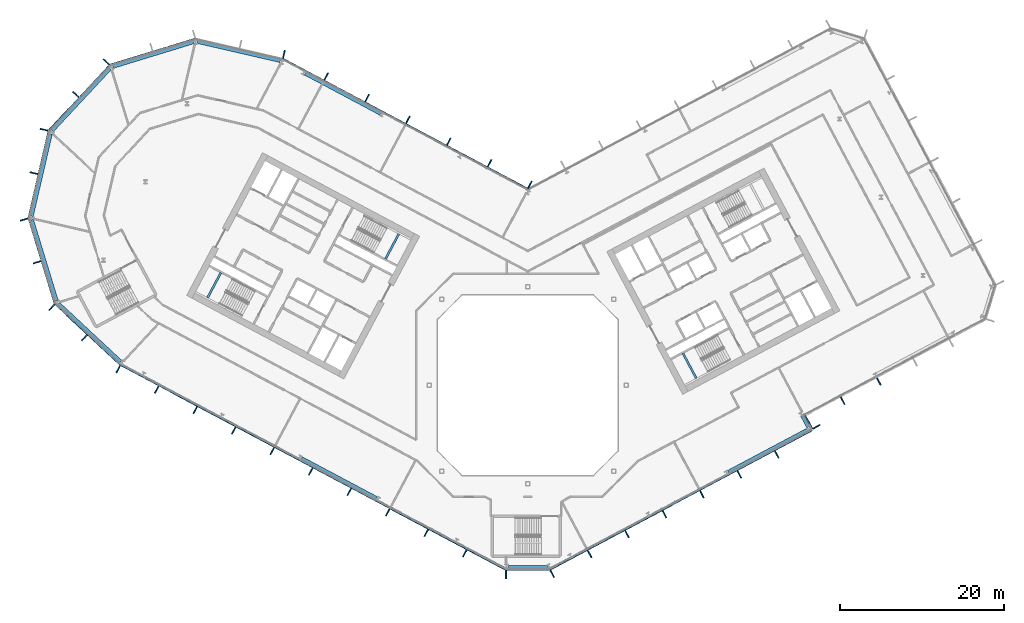
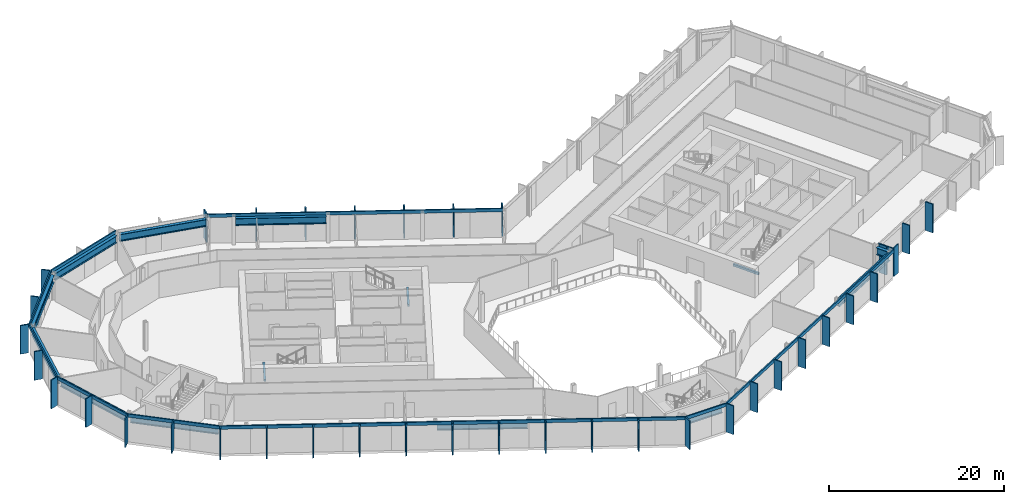
# One storey, part 9 of 28: 47 members, 14 beams, 12 elements without a shape of their own.
"""IFC4 building model written with IfcOpenShell, lengths in metres."""

import ifcopenshell
import ifcopenshell.guid

model = None  # the IFC model being written
_history = None  # IfcOwnerHistory: only IFC2X3 demands one
_inside = {}  # id of a spatial element -> (the spatial element, [elements in it])
_under = {}  # id of a project, library or spatial element -> (it, [spatial elements below it])
_declared = {}  # id of a project -> (the project, [libraries it declares])
_typed = {}  # id of a type object -> (the type object, [elements of that type])
_made_of = {}  # id of a material, layer set ... -> (it, [elements and type objects made of it])


def new_model(schema):
    """Start an empty IFC model of exactly this schema.

    Asked for "IFC4X3", IfcOpenShell would pick the latest addendum, in which some entities
    have other attributes; the version numbers below select the first issue.
    IFC2X3 requires an IfcOwnerHistory on every rooted entity: one is made here for all.
    """
    global model, _history
    if schema == "IFC4X3":
        model = ifcopenshell.file(schema_version=(4, 3, 0, 0))
    else:
        model = ifcopenshell.file(schema=schema)
    _inside.clear()
    _under.clear()
    _declared.clear()
    _typed.clear()
    _made_of.clear()
    _history = None
    if model.schema == "IFC2X3":
        org = make("IfcOrganization", Name="unknown")
        user = make(
            "IfcPersonAndOrganization",
            ThePerson=make("IfcPerson", FamilyName="unknown"),
            TheOrganization=org,
        )
        app = make(
            "IfcApplication",
            ApplicationDeveloper=org,
            Version="unknown",
            ApplicationFullName="unknown",
            ApplicationIdentifier="unknown",
        )
        _history = make(
            "IfcOwnerHistory",
            OwningUser=user,
            OwningApplication=app,
            ChangeAction="ADDED",
            CreationDate=0,
        )
    return model


def make(cls, **values):
    """One entity of the class cls with the attributes given. An attribute that is None is left unset."""
    return model.create_entity(
        cls, **{name: value for name, value in values.items() if value is not None}
    )


def rooted(cls, **values):
    """An entity with a GlobalId (a new one), such as an element, a storey or a relation."""
    return make(cls, GlobalId=ifcopenshell.guid.new(), OwnerHistory=_history, **values)


def si_unit(unit_type, name, prefix=None):
    """IfcSIUnit, for example si_unit("LENGTHUNIT", "METRE", prefix="MILLI")."""
    return make("IfcSIUnit", UnitType=unit_type, Prefix=prefix, Name=name)


def assignment(units):
    """IfcUnitAssignment: the units of a project."""
    return None if units is None else make("IfcUnitAssignment", Units=units)


def point(xyz):
    """IfcCartesianPoint."""
    return None if xyz is None else make("IfcCartesianPoint", Coordinates=xyz)


def direction(xyz):
    """IfcDirection."""
    return None if xyz is None else make("IfcDirection", DirectionRatios=xyz)


def frame(location, z_axis=None, x_axis=None):
    """IfcAxis2Placement3D, a coordinate frame: its origin and axes. An axis left out is left unset."""
    return make(
        "IfcAxis2Placement3D",
        Location=point(location),
        Axis=direction(z_axis),
        RefDirection=direction(x_axis),
    )


def frame_2d(location, x_axis=None):
    """IfcAxis2Placement2D, a coordinate frame in the plane: its origin and x axis."""
    return make(
        "IfcAxis2Placement2D", Location=point(location), RefDirection=direction(x_axis)
    )


def origin():
    """The frame at (0, 0, 0) with its axes left unset."""
    return frame((0.0, 0.0, 0.0))


def origin_2d():
    """The frame at (0, 0) in the plane with its x axis left unset."""
    return frame_2d((0.0, 0.0))


def place(relative_to, where):
    """IfcLocalPlacement: puts the frame where relative to a parent placement (None: the world)."""
    return make(
        "IfcLocalPlacement", PlacementRelTo=relative_to, RelativePlacement=where
    )


def context(
    kind, dimensions, precision=None, world=None, true_north=None, identifier=None
):
    """IfcGeometricRepresentationContext, for example the 3D "Model" context."""
    return make(
        "IfcGeometricRepresentationContext",
        ContextIdentifier=identifier,
        ContextType=kind,
        CoordinateSpaceDimension=dimensions,
        Precision=precision,
        WorldCoordinateSystem=world,
        TrueNorth=true_north,
    )


def subcontext(parent, identifier, kind, view, scale=None):
    """IfcGeometricRepresentationSubContext, for example "Body" below "Model"."""
    return make(
        "IfcGeometricRepresentationSubContext",
        ContextIdentifier=identifier,
        ContextType=kind,
        ParentContext=parent,
        TargetScale=scale,
        TargetView=view,
    )


def project(units=None, contexts=None):
    """IfcProject with its units and contexts."""
    return rooted(
        "IfcProject",
        Name="project",
        RepresentationContexts=contexts,
        UnitsInContext=assignment(units),
    )


def spatial(cls, under=None, at=None, **own):
    """A site, building, storey or space (cls), placed at a placement, below another one or the project."""
    s = rooted(cls, ObjectPlacement=at, **own)
    if under is not None:
        _under.setdefault(under.id(), (under, []))[1].append(s)
    return s


def profile(cls, at=None, kind="AREA", **sizes):
    """A parametric profile (cls). Its sizes go by their IFC names, for example OverallWidth=200.0."""
    return make(cls, ProfileType=kind, Position=at, **sizes)


def rectangle(**sizes):
    """IfcRectangleProfileDef."""
    return profile("IfcRectangleProfileDef", **sizes)


def i_section(**sizes):
    """IfcIShapeProfileDef."""
    return profile("IfcIShapeProfileDef", **sizes)


def extrude(swept, where, along, depth):
    """IfcExtrudedAreaSolid: the profile swept, set in the frame where, extruded along a direction by depth."""
    return make(
        "IfcExtrudedAreaSolid",
        SweptArea=swept,
        Position=where,
        ExtrudedDirection=direction(along),
        Depth=depth,
    )


def shape(context_of_items, identifier, shape_type, items):
    """IfcShapeRepresentation: the items that make up one representation, for example the "Body"."""
    return make(
        "IfcShapeRepresentation",
        ContextOfItems=context_of_items,
        RepresentationIdentifier=identifier,
        RepresentationType=shape_type,
        Items=items,
    )


def material(Name=None, Category=None):
    """IfcMaterial."""
    return make("IfcMaterial", Name=Name, Category=Category)


def layer(
    of_material, thickness, ventilated=None, Name=None, Category=None, Priority=None
):
    """IfcMaterialLayer: one layer of a wall or slab, of a material (None: an air gap)."""
    return make(
        "IfcMaterialLayer",
        Material=of_material,
        LayerThickness=thickness,
        IsVentilated=ventilated,
        Name=Name,
        Category=Category,
        Priority=Priority,
    )


def layer_set(layers, Name=None):
    """IfcMaterialLayerSet."""
    return make("IfcMaterialLayerSet", MaterialLayers=layers, LayerSetName=Name)


def material_profile(
    of_material, cross_section, Name=None, Category=None, Priority=None
):
    """IfcMaterialProfile: a cross section and its material."""
    return make(
        "IfcMaterialProfile",
        Name=Name,
        Material=of_material,
        Profile=cross_section,
        Priority=Priority,
        Category=Category,
    )


def profile_set(profiles, Name=None, composite=None):
    """IfcMaterialProfileSet."""
    return make(
        "IfcMaterialProfileSet",
        Name=Name,
        MaterialProfiles=profiles,
        CompositeProfile=composite,
    )


def made_of(thing, what):
    """Note that an element or type object is made of a material, layer set ...; save() writes the relation."""
    if what is not None:
        _made_of.setdefault(what.id(), (what, []))[1].append(thing)
    return thing


def type_object(cls, material=None, **own):
    """A type object (cls), such as IfcWallType, which elements share."""
    return made_of(rooted(cls, **own), material)


def element(
    cls,
    number,
    at=None,
    inside=None,
    cuts=None,
    type_object=None,
    material=None,
    context=None,
    identifier="Body",
    shape_type=None,
    held_by="IfcProductDefinitionShape",
    body=None,
    shapes=None,
    **own,
):
    """One element of the class cls, such as IfcWall. Its Tag is "e" and its number.

    at: its placement. inside: the storey or other place that contains it. cuts: it is an
    opening in that element (IfcRelVoidsElement). A single representation is given by context,
    identifier, shape_type and body (its items); several are given by shapes. held_by: the class
    of the entity that holds the representations. save() writes the other relations.
    """
    e = rooted(cls, Tag="e%d" % number, ObjectPlacement=at, **own)
    if body is not None:
        shapes = [shape(context, identifier, shape_type, body)]
    if shapes is not None:
        e.Representation = make(held_by, Representations=shapes)
    if inside is not None:
        _inside.setdefault(inside.id(), (inside, []))[1].append(e)
    if cuts is not None:
        rooted(
            "IfcRelVoidsElement", RelatingBuildingElement=cuts, RelatedOpeningElement=e
        )
    if type_object is not None:
        _typed.setdefault(type_object.id(), (type_object, []))[1].append(e)
    return made_of(e, material)


def aggregate(whole, parts):
    """IfcRelAggregates: a whole, such as a stair, and the parts it consists of."""
    return rooted("IfcRelAggregates", RelatingObject=whole, RelatedObjects=parts)


def save(model, path):
    """Write the relations noted so far, then the file.

    IfcRelAggregates (storeys below a building ...), IfcRelContainedInSpatialStructure (elements
    in a storey), IfcRelDefinesByType, IfcRelAssociatesMaterial and IfcRelDeclares: one each for
    every whole, place, type object, material and project.
    """
    for whole, parts in _under.values():
        aggregate(whole, parts)
    for where, things in _inside.values():
        rooted(
            "IfcRelContainedInSpatialStructure",
            RelatedElements=things,
            RelatingStructure=where,
        )
    for kind, things in _typed.values():
        rooted("IfcRelDefinesByType", RelatedObjects=things, RelatingType=kind)
    for what, things in _made_of.values():
        rooted("IfcRelAssociatesMaterial", RelatedObjects=things, RelatingMaterial=what)
    for by, libraries in _declared.values():
        rooted("IfcRelDeclares", RelatingContext=by, RelatedDefinitions=libraries)
    model.write(path)


model = new_model("IFC4")

# Units and contexts
model_context = context("Model", 3, precision=1e-05, world=origin(), true_north=direction((0.0, 1.0)))
body_context = subcontext(model_context, "Body", "Model", "MODEL_VIEW")
ifc_project = project(units=[si_unit("LENGTHUNIT", "METRE"), si_unit("AREAUNIT", "SQUARE_METRE"), si_unit("VOLUMEUNIT", "CUBIC_METRE"), si_unit("PLANEANGLEUNIT", "RADIAN"), si_unit("MASSUNIT", "GRAM", prefix="KILO")], contexts=[model_context])

# Site, building, storey
site_placement = place(None, origin())
site = spatial("IfcSite", under=ifc_project, at=site_placement, CompositionType="ELEMENT")
building_placement = place(site_placement, origin())
building = spatial("IfcBuilding", under=site, at=building_placement, Name="Cormorant Relay Tower", CompositionType="ELEMENT")
storey_placement = place(building_placement, frame((0.0, 0.0, 158.199951171875)))
storey = spatial("IfcBuildingStorey", under=building, at=storey_placement, Name="L33", CompositionType="ELEMENT", Elevation=158.199951171875)

# Curtain wall, member
ifc_material_1 = material(Name="Aluminium 6063-T6 anodised bronze", Category="aluminium")
ifc_layer = layer(ifc_material_1, 0.199951171875)
ifc_layer_set = layer_set([ifc_layer], Name="CW1 unitised bronze curtain wall with vertical fins")
curtain_wall_type = type_object("IfcCurtainWallType", Name="CW1 unitised bronze curtain wall with vertical fins", PredefinedType="NOTDEFINED", material=ifc_layer_set)
curtain_wall_1_placement = place(storey_placement, origin())
curtain_wall_1 = element("IfcCurtainWall", 1, at=curtain_wall_1_placement, inside=storey, type_object=curtain_wall_type, Name="CW1 curtain wall 1", PredefinedType="NOTDEFINED")
ifc_material_2 = material(Name="Aluminium 6063-T6 anodised bronze", Category="aluminium")
ifc_material_profile_1 = material_profile(ifc_material_2, rectangle(XDim=0.14990234375, YDim=1.0, at=origin_2d()), Name="AL 150x1000")
ifc_profile_set_1 = profile_set([ifc_material_profile_1], Name="Aluminium 6063-T6 anodised bronze")
member_type_1 = type_object("IfcMemberType", Name="CW1 bronze fin mullion 150 x 1000", PredefinedType="MULLION", material=ifc_profile_set_1)
member_1_placement = place(storey_placement, frame((-2.648681640625, -23.07568359375, 0.0), z_axis=(0.0, 0.0, 1.0), x_axis=(1.0, 0.0, 0.0)))
member_1 = element("IfcMember", 2, at=member_1_placement, type_object=member_type_1, Name="CW1 fin 1.1", PredefinedType="MULLION", context=body_context, shape_type="SweptSolid", body=[
    extrude(rectangle(XDim=0.14990234375, YDim=1.0, at=origin_2d()), origin(), (0.0, 0.0, 1.0), 4.0),
])

# Curtain wall, members
curtain_wall_2_placement = place(storey_placement, origin())
curtain_wall_2 = element("IfcCurtainWall", 3, at=curtain_wall_2_placement, inside=storey, type_object=curtain_wall_type, Name="CW1 curtain wall 2", PredefinedType="NOTDEFINED")
member_2_placement = place(storey_placement, frame((2.9775390625, -22.99365234375, 0.0), z_axis=(0.0, 0.0, 1.0), x_axis=(0.882947592859, 0.469471562786, 0.0)))
member_2 = element("IfcMember", 4, at=member_2_placement, type_object=member_type_1, Name="CW1 fin 2.1", PredefinedType="MULLION", context=body_context, shape_type="SweptSolid", body=[
    extrude(rectangle(XDim=0.14990234375, YDim=1.0, at=origin_2d()), origin(), (0.0, 0.0, 1.0), 4.0),
])
member_3_placement = place(storey_placement, frame((7.539306640625, -20.568115234375, 0.0), z_axis=(0.0, 0.0, 1.0), x_axis=(0.882947592859, 0.469471562786, 0.0)))
member_3 = element("IfcMember", 5, at=member_3_placement, type_object=member_type_1, Name="CW1 fin 2.2", PredefinedType="MULLION", context=body_context, shape_type="SweptSolid", body=[
    extrude(rectangle(XDim=0.14990234375, YDim=1.0, at=origin_2d()), origin(), (0.0, 0.0, 1.0), 4.0),
])
member_4_placement = place(storey_placement, frame((12.10107421875, -18.142578125, 0.0), z_axis=(0.0, 0.0, 1.0), x_axis=(0.882947592859, 0.469471562786, 0.0)))
member_4 = element("IfcMember", 6, at=member_4_placement, type_object=member_type_1, Name="CW1 fin 2.3", PredefinedType="MULLION", context=body_context, shape_type="SweptSolid", body=[
    extrude(rectangle(XDim=0.14990234375, YDim=1.0, at=origin_2d()), origin(), (0.0, 0.0, 1.0), 4.0),
])
member_5_placement = place(storey_placement, frame((16.662841796875, -15.717041015625, 0.0), z_axis=(0.0, 0.0, 1.0), x_axis=(0.882947592859, 0.469471562786, 0.0)))
member_5 = element("IfcMember", 7, at=member_5_placement, type_object=member_type_1, Name="CW1 fin 2.4", PredefinedType="MULLION", context=body_context, shape_type="SweptSolid", body=[
    extrude(rectangle(XDim=0.14990234375, YDim=1.0, at=origin_2d()), origin(), (0.0, 0.0, 1.0), 4.0),
])
member_6_placement = place(storey_placement, frame((21.224609375, -13.29150390625, 0.0), z_axis=(0.0, 0.0, 1.0), x_axis=(0.882947592859, 0.469471562786, 0.0)))
member_6 = element("IfcMember", 8, at=member_6_placement, type_object=member_type_1, Name="CW1 fin 2.5", PredefinedType="MULLION", context=body_context, shape_type="SweptSolid", body=[
    extrude(rectangle(XDim=0.14990234375, YDim=1.0, at=origin_2d()), origin(), (0.0, 0.0, 1.0), 4.0),
])
member_7_placement = place(storey_placement, frame((25.78662109375, -10.865966796875, 0.0), z_axis=(0.0, 0.0, 1.0), x_axis=(0.882947592859, 0.469471562786, 0.0)))
member_7 = element("IfcMember", 9, at=member_7_placement, type_object=member_type_1, Name="CW1 fin 2.6", PredefinedType="MULLION", context=body_context, shape_type="SweptSolid", body=[
    extrude(rectangle(XDim=0.14990234375, YDim=1.0, at=origin_2d()), origin(), (0.0, 0.0, 1.0), 4.0),
])
member_8_placement = place(storey_placement, frame((30.348388671875, -8.440185546875, 0.0), z_axis=(0.0, 0.0, 1.0), x_axis=(0.882947592859, 0.469471562786, 0.0)))
member_8 = element("IfcMember", 10, at=member_8_placement, type_object=member_type_1, Name="CW1 fin 2.7", PredefinedType="MULLION", context=body_context, shape_type="SweptSolid", body=[
    extrude(rectangle(XDim=0.14990234375, YDim=1.0, at=origin_2d()), origin(), (0.0, 0.0, 1.0), 4.0),
])

# Curtain wall, member
curtain_wall_3_placement = place(storey_placement, origin())
curtain_wall_3 = element("IfcCurtainWall", 11, at=curtain_wall_3_placement, inside=storey, type_object=curtain_wall_type, Name="CW1 curtain wall 3", PredefinedType="NOTDEFINED")
member_9_placement = place(storey_placement, frame((35.199462890625, -5.068115234375, 0.0), z_axis=(0.0, 0.0, 1.0), x_axis=(-0.469471562786, 0.882947592859, 0.0)))
member_9 = element("IfcMember", 12, at=member_9_placement, type_object=member_type_1, Name="CW1 fin 3.1", PredefinedType="MULLION", context=body_context, shape_type="SweptSolid", body=[
    extrude(rectangle(XDim=0.14990234375, YDim=1.0, at=origin_2d()), origin(), (0.0, 0.0, 1.0), 4.0),
])

# Curtain wall, members
curtain_wall_4_placement = place(storey_placement, origin())
curtain_wall_4 = element("IfcCurtainWall", 13, at=curtain_wall_4_placement, inside=storey, type_object=curtain_wall_type, Name="CW1 curtain wall 4", PredefinedType="NOTDEFINED")
member_10_placement = place(storey_placement, frame((34.037353515625, -4.213623046875, 0.0), z_axis=(0.0, 0.0, 1.0), x_axis=(0.882947592859, 0.469471562786, 0.0)))
member_10 = element("IfcMember", 14, at=member_10_placement, type_object=member_type_1, Name="CW1 fin 4.1", PredefinedType="MULLION", context=body_context, shape_type="SweptSolid", body=[
    extrude(rectangle(XDim=0.14990234375, YDim=1.0, at=origin_2d()), origin(), (0.0, 0.0, 1.0), 4.0),
])
member_11_placement = place(storey_placement, frame((38.385986328125, -1.901611328125, 0.0), z_axis=(0.0, 0.0, 1.0), x_axis=(0.882947592859, 0.469471562786, 0.0)))
member_11 = element("IfcMember", 15, at=member_11_placement, type_object=member_type_1, Name="CW1 fin 4.2", PredefinedType="MULLION", context=body_context, shape_type="SweptSolid", body=[
    extrude(rectangle(XDim=0.14990234375, YDim=1.0, at=origin_2d()), origin(), (0.0, 0.0, 1.0), 4.0),
])
member_12_placement = place(storey_placement, frame((42.800537109375, 0.44580078125, 0.0), z_axis=(0.0, 0.0, 1.0), x_axis=(0.882947592859, 0.469471562786, 0.0)))
member_12 = element("IfcMember", 16, at=member_12_placement, type_object=member_type_1, Name="CW1 fin 4.3", PredefinedType="MULLION", context=body_context, shape_type="SweptSolid", body=[
    extrude(rectangle(XDim=0.14990234375, YDim=1.0, at=origin_2d()), origin(), (0.0, 0.0, 1.0), 4.0),
])
aggregate(curtain_wall_4, [member_10, member_11, member_12])

curtain_wall_5_placement = place(storey_placement, origin())
curtain_wall_5 = element("IfcCurtainWall", 17, at=curtain_wall_5_placement, inside=storey, type_object=curtain_wall_type, Name="CW1 curtain wall 9", PredefinedType="NOTDEFINED")
member_13_placement = place(storey_placement, frame((0.262451171875, 24.437255859375, 0.0), z_axis=(0.0, 0.0, 1.0), x_axis=(-0.882947592859, 0.469471562786, 0.0)))
member_13 = element("IfcMember", 18, at=member_13_placement, type_object=member_type_1, Name="CW1 fin 9.1", PredefinedType="MULLION", context=body_context, shape_type="SweptSolid", body=[
    extrude(rectangle(XDim=0.14990234375, YDim=1.0, at=origin_2d()), origin(), (0.0, 0.0, 1.0), 4.0),
])
member_14_placement = place(storey_placement, frame((-4.650390625, 27.04931640625, 0.0), z_axis=(0.0, 0.0, 1.0), x_axis=(-0.882947592859, 0.469471562786, 0.0)))
member_14 = element("IfcMember", 19, at=member_14_placement, type_object=member_type_1, Name="CW1 fin 9.2", PredefinedType="MULLION", context=body_context, shape_type="SweptSolid", body=[
    extrude(rectangle(XDim=0.14990234375, YDim=1.0, at=origin_2d()), origin(), (0.0, 0.0, 1.0), 4.0),
])
member_15_placement = place(storey_placement, frame((-9.62939453125, 29.69677734375, 0.0), z_axis=(0.0, 0.0, 1.0), x_axis=(-0.882947592859, 0.469471562786, 0.0)))
member_15 = element("IfcMember", 20, at=member_15_placement, type_object=member_type_1, Name="CW1 fin 9.3", PredefinedType="MULLION", context=body_context, shape_type="SweptSolid", body=[
    extrude(rectangle(XDim=0.14990234375, YDim=1.0, at=origin_2d()), origin(), (0.0, 0.0, 1.0), 4.0),
])
member_16_placement = place(storey_placement, frame((-14.608154296875, 32.343994140625, 0.0), z_axis=(0.0, 0.0, 1.0), x_axis=(-0.882947592859, 0.469471562786, 0.0)))
member_16 = element("IfcMember", 21, at=member_16_placement, type_object=member_type_1, Name="CW1 fin 9.4", PredefinedType="MULLION", context=body_context, shape_type="SweptSolid", body=[
    extrude(rectangle(XDim=0.14990234375, YDim=1.0, at=origin_2d()), origin(), (0.0, 0.0, 1.0), 4.0),
])
member_17_placement = place(storey_placement, frame((-19.587158203125, 34.991455078125, 0.0), z_axis=(0.0, 0.0, 1.0), x_axis=(-0.882947592859, 0.469471562786, 0.0)))
member_17 = element("IfcMember", 22, at=member_17_placement, type_object=member_type_1, Name="CW1 fin 9.5", PredefinedType="MULLION", context=body_context, shape_type="SweptSolid", body=[
    extrude(rectangle(XDim=0.14990234375, YDim=1.0, at=origin_2d()), origin(), (0.0, 0.0, 1.0), 4.0),
])
member_18_placement = place(storey_placement, frame((-24.566162109375, 37.638916015625, 0.0), z_axis=(0.0, 0.0, 1.0), x_axis=(-0.882947592859, 0.469471562786, 0.0)))
member_18 = element("IfcMember", 23, at=member_18_placement, type_object=member_type_1, Name="CW1 fin 9.6", PredefinedType="MULLION", context=body_context, shape_type="SweptSolid", body=[
    extrude(rectangle(XDim=0.14990234375, YDim=1.0, at=origin_2d()), origin(), (0.0, 0.0, 1.0), 4.0),
])

# Curtain wall, member
curtain_wall_6_placement = place(storey_placement, origin())
curtain_wall_6 = element("IfcCurtainWall", 24, at=curtain_wall_6_placement, inside=storey, type_object=curtain_wall_type, Name="CW1 curtain wall 10", PredefinedType="NOTDEFINED")
member_19_placement = place(storey_placement, frame((-29.71630859375, 40.35009765625, 0.0), z_axis=(0.0, 0.0, 1.0), x_axis=(-0.974370064785, 0.224951054344, 0.0)))
member_19 = element("IfcMember", 25, at=member_19_placement, type_object=member_type_1, Name="CW1 fin 10.1", PredefinedType="MULLION", context=body_context, shape_type="SweptSolid", body=[
    extrude(rectangle(XDim=0.14990234375, YDim=1.0, at=origin_2d()), origin(), (0.0, 0.0, 1.0), 4.0),
])
aggregate(curtain_wall_6, [member_19])

# Curtain wall, members
curtain_wall_7_placement = place(storey_placement, origin())
curtain_wall_7 = element("IfcCurtainWall", 26, at=curtain_wall_7_placement, inside=storey, type_object=curtain_wall_type, Name="CW1 curtain wall 12", PredefinedType="NOTDEFINED")
member_20_placement = place(storey_placement, frame((-51.372802734375, 39.41259765625, 0.0), z_axis=(0.0, 0.0, 1.0), x_axis=(-0.681998360062, -0.731353701619, 0.0)))
member_20 = element("IfcMember", 27, at=member_20_placement, type_object=member_type_1, Name="CW1 fin 12.1", PredefinedType="MULLION", context=body_context, shape_type="SweptSolid", body=[
    extrude(rectangle(XDim=0.14990234375, YDim=1.0, at=origin_2d()), origin(), (0.0, 0.0, 1.0), 4.0),
])
member_21_placement = place(storey_placement, frame((-55.07958984375, 35.4375, 0.0), z_axis=(0.0, 0.0, 1.0), x_axis=(-0.681998360062, -0.731353701619, 0.0)))
member_21 = element("IfcMember", 28, at=member_21_placement, type_object=member_type_1, Name="CW1 fin 12.2", PredefinedType="MULLION", context=body_context, shape_type="SweptSolid", body=[
    extrude(rectangle(XDim=0.14990234375, YDim=1.0, at=origin_2d()), origin(), (0.0, 0.0, 1.0), 4.0),
])

curtain_wall_8_placement = place(storey_placement, origin())
curtain_wall_8 = element("IfcCurtainWall", 29, at=curtain_wall_8_placement, inside=storey, type_object=curtain_wall_type, Name="CW1 curtain wall 13", PredefinedType="NOTDEFINED")
member_22_placement = place(storey_placement, frame((-58.95654296875, 31.142578125, 0.0), z_axis=(0.0, 0.0, 1.0), x_axis=(-0.224951054344, -0.974370064785, 0.0)))
member_22 = element("IfcMember", 30, at=member_22_placement, type_object=member_type_1, Name="CW1 fin 13.1", PredefinedType="MULLION", context=body_context, shape_type="SweptSolid", body=[
    extrude(rectangle(XDim=0.14990234375, YDim=1.0, at=origin_2d()), origin(), (0.0, 0.0, 1.0), 4.0),
])
member_23_placement = place(storey_placement, frame((-60.17919921875, 25.8466796875, 0.0), z_axis=(0.0, 0.0, 1.0), x_axis=(-0.224951054344, -0.974370064785, 0.0)))
member_23 = element("IfcMember", 31, at=member_23_placement, type_object=member_type_1, Name="CW1 fin 13.2", PredefinedType="MULLION", context=body_context, shape_type="SweptSolid", body=[
    extrude(rectangle(XDim=0.14990234375, YDim=1.0, at=origin_2d()), origin(), (0.0, 0.0, 1.0), 4.0),
])

curtain_wall_9_placement = place(storey_placement, origin())
curtain_wall_9 = element("IfcCurtainWall", 32, at=curtain_wall_9_placement, inside=storey, type_object=curtain_wall_type, Name="CW1 curtain wall 14", PredefinedType="NOTDEFINED")
member_24_placement = place(storey_placement, frame((-61.389404296875, 20.188720703125, 0.0), z_axis=(0.0, 0.0, 1.0), x_axis=(0.292371704723, -0.956304755963, 0.0)))
member_24 = element("IfcMember", 33, at=member_24_placement, type_object=member_type_1, Name="CW1 fin 14.1", PredefinedType="MULLION", context=body_context, shape_type="SweptSolid", body=[
    extrude(rectangle(XDim=0.14990234375, YDim=1.0, at=origin_2d()), origin(), (0.0, 0.0, 1.0), 4.0),
])
member_25_placement = place(storey_placement, frame((-59.80029296875, 14.990966796875, 0.0), z_axis=(0.0, 0.0, 1.0), x_axis=(0.292371704723, -0.956304755963, 0.0)))
member_25 = element("IfcMember", 34, at=member_25_placement, type_object=member_type_1, Name="CW1 fin 14.2", PredefinedType="MULLION", context=body_context, shape_type="SweptSolid", body=[
    extrude(rectangle(XDim=0.14990234375, YDim=1.0, at=origin_2d()), origin(), (0.0, 0.0, 1.0), 4.0),
])

curtain_wall_10_placement = place(storey_placement, origin())
curtain_wall_10 = element("IfcCurtainWall", 35, at=curtain_wall_10_placement, inside=storey, type_object=curtain_wall_type, Name="CW1 curtain wall 15", PredefinedType="NOTDEFINED")
member_26_placement = place(storey_placement, frame((-58.01904296875, 9.486083984375, 0.0), z_axis=(0.0, 0.0, 1.0), x_axis=(0.731353701619, -0.681998360062, 0.0)))
member_26 = element("IfcMember", 36, at=member_26_placement, type_object=member_type_1, Name="CW1 fin 15.1", PredefinedType="MULLION", context=body_context, shape_type="SweptSolid", body=[
    extrude(rectangle(XDim=0.14990234375, YDim=1.0, at=origin_2d()), origin(), (0.0, 0.0, 1.0), 4.0),
])
member_27_placement = place(storey_placement, frame((-54.0439453125, 5.779296875, 0.0), z_axis=(0.0, 0.0, 1.0), x_axis=(0.731353701619, -0.681998360062, 0.0)))
member_27 = element("IfcMember", 37, at=member_27_placement, type_object=member_type_1, Name="CW1 fin 15.2", PredefinedType="MULLION", context=body_context, shape_type="SweptSolid", body=[
    extrude(rectangle(XDim=0.14990234375, YDim=1.0, at=origin_2d()), origin(), (0.0, 0.0, 1.0), 4.0),
])

curtain_wall_11_placement = place(storey_placement, origin())
curtain_wall_11 = element("IfcCurtainWall", 38, at=curtain_wall_11_placement, inside=storey, type_object=curtain_wall_type, Name="CW1 curtain wall 16", PredefinedType="NOTDEFINED")
member_28_placement = place(storey_placement, frame((-49.920166015625, 1.96630859375, 0.0), z_axis=(0.0, 0.0, 1.0), x_axis=(0.882947592859, -0.469471562786, 0.0)))
member_28 = element("IfcMember", 39, at=member_28_placement, type_object=member_type_1, Name="CW1 fin 16.1", PredefinedType="MULLION", context=body_context, shape_type="SweptSolid", body=[
    extrude(rectangle(XDim=0.14990234375, YDim=1.0, at=origin_2d()), origin(), (0.0, 0.0, 1.0), 4.0),
])
member_29_placement = place(storey_placement, frame((-45.225830078125, -0.52978515625, 0.0), z_axis=(0.0, 0.0, 1.0), x_axis=(0.882947592859, -0.469471562786, 0.0)))
member_29 = element("IfcMember", 40, at=member_29_placement, type_object=member_type_1, Name="CW1 fin 16.2", PredefinedType="MULLION", context=body_context, shape_type="SweptSolid", body=[
    extrude(rectangle(XDim=0.14990234375, YDim=1.0, at=origin_2d()), origin(), (0.0, 0.0, 1.0), 4.0),
])
member_30_placement = place(storey_placement, frame((-40.531494140625, -3.025634765625, 0.0), z_axis=(0.0, 0.0, 1.0), x_axis=(0.882947592859, -0.469471562786, 0.0)))
member_30 = element("IfcMember", 41, at=member_30_placement, type_object=member_type_1, Name="CW1 fin 16.3", PredefinedType="MULLION", context=body_context, shape_type="SweptSolid", body=[
    extrude(rectangle(XDim=0.14990234375, YDim=1.0, at=origin_2d()), origin(), (0.0, 0.0, 1.0), 4.0),
])
member_31_placement = place(storey_placement, frame((-35.83740234375, -5.521728515625, 0.0), z_axis=(0.0, 0.0, 1.0), x_axis=(0.882947592859, -0.469471562786, 0.0)))
member_31 = element("IfcMember", 42, at=member_31_placement, type_object=member_type_1, Name="CW1 fin 16.4", PredefinedType="MULLION", context=body_context, shape_type="SweptSolid", body=[
    extrude(rectangle(XDim=0.14990234375, YDim=1.0, at=origin_2d()), origin(), (0.0, 0.0, 1.0), 4.0),
])
member_32_placement = place(storey_placement, frame((-31.14306640625, -8.017578125, 0.0), z_axis=(0.0, 0.0, 1.0), x_axis=(0.882947592859, -0.469471562786, 0.0)))
member_32 = element("IfcMember", 43, at=member_32_placement, type_object=member_type_1, Name="CW1 fin 16.5", PredefinedType="MULLION", context=body_context, shape_type="SweptSolid", body=[
    extrude(rectangle(XDim=0.14990234375, YDim=1.0, at=origin_2d()), origin(), (0.0, 0.0, 1.0), 4.0),
])
member_33_placement = place(storey_placement, frame((-26.44873046875, -10.513671875, 0.0), z_axis=(0.0, 0.0, 1.0), x_axis=(0.882947592859, -0.469471562786, 0.0)))
member_33 = element("IfcMember", 44, at=member_33_placement, type_object=member_type_1, Name="CW1 fin 16.6", PredefinedType="MULLION", context=body_context, shape_type="SweptSolid", body=[
    extrude(rectangle(XDim=0.14990234375, YDim=1.0, at=origin_2d()), origin(), (0.0, 0.0, 1.0), 4.0),
])
member_34_placement = place(storey_placement, frame((-21.754638671875, -13.009765625, 0.0), z_axis=(0.0, 0.0, 1.0), x_axis=(0.882947592859, -0.469471562786, 0.0)))
member_34 = element("IfcMember", 45, at=member_34_placement, type_object=member_type_1, Name="CW1 fin 16.7", PredefinedType="MULLION", context=body_context, shape_type="SweptSolid", body=[
    extrude(rectangle(XDim=0.14990234375, YDim=1.0, at=origin_2d()), origin(), (0.0, 0.0, 1.0), 4.0),
])
member_35_placement = place(storey_placement, frame((-17.060302734375, -15.505615234375, 0.0), z_axis=(0.0, 0.0, 1.0), x_axis=(0.882947592859, -0.469471562786, 0.0)))
member_35 = element("IfcMember", 46, at=member_35_placement, type_object=member_type_1, Name="CW1 fin 16.8", PredefinedType="MULLION", context=body_context, shape_type="SweptSolid", body=[
    extrude(rectangle(XDim=0.14990234375, YDim=1.0, at=origin_2d()), origin(), (0.0, 0.0, 1.0), 4.0),
])
member_36_placement = place(storey_placement, frame((-12.365966796875, -18.001708984375, 0.0), z_axis=(0.0, 0.0, 1.0), x_axis=(0.882947592859, -0.469471562786, 0.0)))
member_36 = element("IfcMember", 47, at=member_36_placement, type_object=member_type_1, Name="CW1 fin 16.9", PredefinedType="MULLION", context=body_context, shape_type="SweptSolid", body=[
    extrude(rectangle(XDim=0.14990234375, YDim=1.0, at=origin_2d()), origin(), (0.0, 0.0, 1.0), 4.0),
])
member_37_placement = place(storey_placement, frame((-7.671630859375, -20.49755859375, 0.0), z_axis=(0.0, 0.0, 1.0), x_axis=(0.882947592859, -0.469471562786, 0.0)))
member_37 = element("IfcMember", 48, at=member_37_placement, type_object=member_type_1, Name="CW1 fin 16.10", PredefinedType="MULLION", context=body_context, shape_type="SweptSolid", body=[
    extrude(rectangle(XDim=0.14990234375, YDim=1.0, at=origin_2d()), origin(), (0.0, 0.0, 1.0), 4.0),
])

# Member
ifc_material_3 = material(Name="Aluminium 6063-T6 anodised bronze", Category="aluminium")
ifc_material_profile_2 = material_profile(ifc_material_3, rectangle(XDim=0.159912109375, YDim=0.449951171875, at=origin_2d()), Name="AL 160x450")
ifc_profile_set_2 = profile_set([ifc_material_profile_2], Name="Aluminium 6063-T6 anodised bronze")
member_type_2 = type_object("IfcMemberType", Name="CW1 bronze transom 160 x 450", PredefinedType="USERDEFINED", material=ifc_profile_set_2)
member_38_placement = place(storey_placement, frame((-2.648681640625, -22.49560546875, 3.775146484375), z_axis=(1.0, 0.0, 0.0), x_axis=(0.0, 1.0, 0.0)))
member_38 = element("IfcMember", 49, at=member_38_placement, type_object=member_type_2, Name="CW1 transom 1", ObjectType="TRANSOM", PredefinedType="USERDEFINED", context=body_context, shape_type="SweptSolid", body=[
    extrude(rectangle(XDim=0.159912109375, YDim=0.449951171875, at=origin_2d()), origin(), (0.0, 0.0, 1.0), 5.29736328125),
])

aggregate(curtain_wall_1, [member_1, member_38])

member_39_placement = place(storey_placement, frame((2.705078125, -22.4814453125, 3.775146484375), z_axis=(0.882948899141, 0.469469106018, 0.0), x_axis=(-0.469469106018, 0.882948899141, 0.0)))
member_39 = element("IfcMember", 50, at=member_39_placement, type_object=member_type_2, Name="CW1 transom 2", ObjectType="TRANSOM", PredefinedType="USERDEFINED", context=body_context, shape_type="SweptSolid", body=[
    extrude(rectangle(XDim=0.159912109375, YDim=0.449951171875, at=origin_2d()), origin(), (0.0, 0.0, 1.0), 36.165771484375),
])

aggregate(curtain_wall_2, [member_2, member_3, member_4, member_5, member_6, member_7, member_8, member_39])

member_40_placement = place(storey_placement, frame((34.6875, -5.34033203125, 3.775146484375), z_axis=(-0.469580583036, 0.88288961713, 0.0), x_axis=(-0.88288961713, -0.469580583036, 0.0)))
member_40 = element("IfcMember", 51, at=member_40_placement, type_object=member_type_2, Name="CW1 transom 3", ObjectType="TRANSOM", PredefinedType="USERDEFINED", context=body_context, shape_type="SweptSolid", body=[
    extrude(rectangle(XDim=0.159912109375, YDim=0.449951171875, at=origin_2d()), origin(), (0.0, 0.0, 1.0), 2.0),
])

aggregate(curtain_wall_3, [member_9, member_40])

member_41_placement = place(storey_placement, frame((0.056396484375, 23.889892578125, 3.775146484375), z_axis=(-0.882946280328, 0.46947403129, 0.0), x_axis=(-0.46947403129, -0.882946280328, 0.0)))
member_41 = element("IfcMember", 52, at=member_41_placement, type_object=member_type_2, Name="CW1 transom 9", ObjectType="TRANSOM", PredefinedType="USERDEFINED", context=body_context, shape_type="SweptSolid", body=[
    extrude(rectangle(XDim=0.159912109375, YDim=0.449951171875, at=origin_2d()), origin(), (0.0, 0.0, 1.0), 33.834228515625),
])

aggregate(curtain_wall_5, [member_13, member_14, member_15, member_16, member_17, member_18, member_41])

# Curtain wall, member
curtain_wall_12_placement = place(storey_placement, origin())
curtain_wall_12 = element("IfcCurtainWall", 53, at=curtain_wall_12_placement, inside=storey, type_object=curtain_wall_type, Name="CW1 curtain wall 11", PredefinedType="NOTDEFINED")
member_42_placement = place(storey_placement, frame((-40.50048828125, 42.228271484375, 3.775146484375), z_axis=(-0.956304833932, -0.292371449698, 0.0), x_axis=(0.292371449698, -0.956304833932, 0.0)))
member_42 = element("IfcMember", 54, at=member_42_placement, type_object=member_type_2, Name="CW1 transom 11", ObjectType="TRANSOM", PredefinedType="USERDEFINED", context=body_context, shape_type="SweptSolid", body=[
    extrude(rectangle(XDim=0.159912109375, YDim=0.449951171875, at=origin_2d()), origin(), (0.0, 0.0, 1.0), 10.87060546875),
])
aggregate(curtain_wall_12, [member_42])

# Member
member_43_placement = place(storey_placement, frame((-50.94873046875, 39.01708984375, 3.775146484375), z_axis=(-0.681993299437, -0.731358420696, 0.0), x_axis=(0.731358420696, -0.681993299437, 0.0)))
member_43 = element("IfcMember", 55, at=member_43_placement, type_object=member_type_2, Name="CW1 transom 12", ObjectType="TRANSOM", PredefinedType="USERDEFINED", context=body_context, shape_type="SweptSolid", body=[
    extrude(rectangle(XDim=0.159912109375, YDim=0.449951171875, at=origin_2d()), origin(), (0.0, 0.0, 1.0), 10.870361328125),
])

aggregate(curtain_wall_7, [member_20, member_21, member_43])

member_44_placement = place(storey_placement, frame((-58.3916015625, 31.01220703125, 3.775146484375), z_axis=(-0.22495136131, -0.974369993916, 0.0), x_axis=(0.974369993916, -0.22495136131, 0.0)))
member_44 = element("IfcMember", 56, at=member_44_placement, type_object=member_type_2, Name="CW1 transom 13", ObjectType="TRANSOM", PredefinedType="USERDEFINED", context=body_context, shape_type="SweptSolid", body=[
    extrude(rectangle(XDim=0.159912109375, YDim=0.449951171875, at=origin_2d()), origin(), (0.0, 0.0, 1.0), 10.870361328125),
])

aggregate(curtain_wall_8, [member_22, member_23, member_44])

member_45_placement = place(storey_placement, frame((-60.834716796875, 20.358154296875, 3.775146484375), z_axis=(0.292377729282, -0.95630291405, 0.0), x_axis=(0.95630291405, 0.292377729282, 0.0)))
member_45 = element("IfcMember", 57, at=member_45_placement, type_object=member_type_2, Name="CW1 transom 14", ObjectType="TRANSOM", PredefinedType="USERDEFINED", context=body_context, shape_type="SweptSolid", body=[
    extrude(rectangle(XDim=0.159912109375, YDim=0.449951171875, at=origin_2d()), origin(), (0.0, 0.0, 1.0), 10.870361328125),
])

aggregate(curtain_wall_9, [member_24, member_25, member_45])

member_46_placement = place(storey_placement, frame((-57.62353515625, 9.91015625, 3.775146484375), z_axis=(0.731358420696, -0.681993299437, 0.0), x_axis=(0.681993299437, 0.731358420696, 0.0)))
member_46 = element("IfcMember", 58, at=member_46_placement, type_object=member_type_2, Name="CW1 transom 15", ObjectType="TRANSOM", PredefinedType="USERDEFINED", context=body_context, shape_type="SweptSolid", body=[
    extrude(rectangle(XDim=0.159912109375, YDim=0.449951171875, at=origin_2d()), origin(), (0.0, 0.0, 1.0), 10.870361328125),
])

aggregate(curtain_wall_10, [member_26, member_27, member_46])

member_47_placement = place(storey_placement, frame((-49.64794921875, 2.478515625, 3.775146484375), z_axis=(0.882947642542, -0.469471469346, 0.0), x_axis=(0.469471469346, 0.882947642542, 0.0)))
member_47 = element("IfcMember", 59, at=member_47_placement, type_object=member_type_2, Name="CW1 transom 16", ObjectType="TRANSOM", PredefinedType="USERDEFINED", context=body_context, shape_type="SweptSolid", body=[
    extrude(rectangle(XDim=0.159912109375, YDim=0.449951171875, at=origin_2d()), origin(), (0.0, 0.0, 1.0), 53.166015625),
])

aggregate(curtain_wall_11, [member_28, member_29, member_30, member_31, member_32, member_33, member_34, member_35, member_36, member_37, member_47])

# Beams
ifc_material_4 = material(Name="Steel ASTM A992 (Fy 345 MPa)", Category="steel")
ifc_material_profile_3 = material_profile(ifc_material_4, i_section(OverallWidth=0.4013671875, OverallDepth=1.000732421875, WebThickness=0.01904296875, FlangeThickness=0.0361328125, FilletRadius=0.02978515625, at=origin_2d()), Name="W1000x371")
ifc_profile_set_3 = profile_set([ifc_material_profile_3], Name="Steel ASTM A992 (Fy 345 MPa)")
beam_type_1 = type_object("IfcBeamType", Name="Spandrel W1000x371", PredefinedType="SPANDREL", material=ifc_profile_set_3)
beam_1_placement = place(storey_placement, frame((-2.35888671875, -22.1748046875, 3.1396484375), z_axis=(1.0, 0.0, 0.0), x_axis=(0.0, 1.0, 0.0)))
element("IfcBeam", 60, at=beam_1_placement, inside=storey, type_object=beam_type_1, Name="Spandrel beam L33-001", PredefinedType="SPANDREL", context=body_context, shape_type="SweptSolid", body=[
    extrude(i_section(OverallWidth=0.4013671875, OverallDepth=1.000732421875, WebThickness=0.01904296875, FlangeThickness=0.0361328125, FilletRadius=0.02978515625, at=origin_2d()), origin(), (0.0, 0.0, 1.0), 4.748046875),
])
beam_2_placement = place(storey_placement, frame((24.427001953125, -10.568603515625, 3.1396484375), z_axis=(0.88295524081, 0.469457178799, 0.0), x_axis=(-0.469457178799, 0.88295524081, 0.0)))
element("IfcBeam", 61, at=beam_2_placement, inside=storey, type_object=beam_type_1, Name="Spandrel beam L33-002", PredefinedType="SPANDREL", context=body_context, shape_type="SweptSolid", body=[
    extrude(i_section(OverallWidth=0.4013671875, OverallDepth=1.000732421875, WebThickness=0.01904296875, FlangeThickness=0.0361328125, FilletRadius=0.02978515625, at=origin_2d()), origin(), (0.0, 0.0, 1.0), 10.915771484375),
])
beam_3_placement = place(storey_placement, frame((34.191650390625, -5.091064453125, 3.1396484375), z_axis=(-0.469471937736, 0.882947393494, 0.0), x_axis=(-0.882947393494, -0.469471937736, 0.0)))
element("IfcBeam", 62, at=beam_3_placement, inside=storey, type_object=beam_type_1, Name="Spandrel beam L33-003", PredefinedType="SPANDREL", context=body_context, shape_type="SweptSolid", body=[
    extrude(i_section(OverallWidth=0.4013671875, OverallDepth=1.000732421875, WebThickness=0.01904296875, FlangeThickness=0.0361328125, FilletRadius=0.02978515625, at=origin_2d()), origin(), (0.0, 0.0, 1.0), 1.521728515625),
])
beam_4_placement = place(storey_placement, frame((-17.964599609375, 33.108642578125, 3.1396484375), z_axis=(-0.882946180893, 0.469474218299, 0.0), x_axis=(-0.469474218299, -0.882946180893, 0.0)))
element("IfcBeam", 63, at=beam_4_placement, inside=storey, type_object=beam_type_1, Name="Spandrel beam L33-009", PredefinedType="SPANDREL", context=body_context, shape_type="SweptSolid", body=[
    extrude(i_section(OverallWidth=0.4013671875, OverallDepth=1.000732421875, WebThickness=0.01904296875, FlangeThickness=0.0361328125, FilletRadius=0.02978515625, at=origin_2d()), origin(), (0.0, 0.0, 1.0), 10.388671875),
])
beam_5_placement = place(storey_placement, frame((-30.162109375, 39.52880859375, 3.1396484375), z_axis=(-0.974371727644, 0.224943851591, 0.0), x_axis=(-0.224943851591, -0.974371727644, 0.0)))
element("IfcBeam", 64, at=beam_5_placement, inside=storey, type_object=beam_type_1, Name="Spandrel beam L33-010", PredefinedType="SPANDREL", context=body_context, shape_type="SweptSolid", body=[
    extrude(i_section(OverallWidth=0.4013671875, OverallDepth=1.000732421875, WebThickness=0.01904296875, FlangeThickness=0.0361328125, FilletRadius=0.02978515625, at=origin_2d()), origin(), (0.0, 0.0, 1.0), 10.3583984375),
])
beam_6_placement = place(storey_placement, frame((-40.69140625, 41.834716796875, 3.1396484375), z_axis=(-0.95629714744, -0.292396589921, 0.0), x_axis=(0.292396589921, -0.95629714744, 0.0)))
element("IfcBeam", 65, at=beam_6_placement, inside=storey, type_object=beam_type_1, Name="Spandrel beam L33-011", PredefinedType="SPANDREL", context=body_context, shape_type="SweptSolid", body=[
    extrude(i_section(OverallWidth=0.4013671875, OverallDepth=1.000732421875, WebThickness=0.01904296875, FlangeThickness=0.0361328125, FilletRadius=0.02978515625, at=origin_2d()), origin(), (0.0, 0.0, 1.0), 10.31103515625),
])
beam_7_placement = place(storey_placement, frame((-50.917236328125, 38.58056640625, 3.1396484375), z_axis=(-0.682003508788, -0.731348900321, 0.0), x_axis=(0.731348900321, -0.682003508788, 0.0)))
element("IfcBeam", 66, at=beam_7_placement, inside=storey, type_object=beam_type_1, Name="Spandrel beam L33-012", PredefinedType="SPANDREL", context=body_context, shape_type="SweptSolid", body=[
    extrude(i_section(OverallWidth=0.4013671875, OverallDepth=1.000732421875, WebThickness=0.01904296875, FlangeThickness=0.0361328125, FilletRadius=0.02978515625, at=origin_2d()), origin(), (0.0, 0.0, 1.0), 10.310791015625),
])
for number, where, z_axis, x_axis, name in (
    (67, (-58.14599609375, 30.64990234375, 3.1396484375), (-0.224951162328, -0.974370039855, 0.0), (0.974370039855, -0.224951162328, 0.0), "Spandrel beam L33-013"),
    (68, (-60.44091796875, 20.16748046875, 3.1396484375), (0.292366522639, -0.95630634027, 0.0), (0.95630634027, 0.292366522639, 0.0), "Spandrel beam L33-014"),
):
    element("IfcBeam", number, at=place(storey_placement, frame(where, z_axis=z_axis, x_axis=x_axis)), inside=storey, type_object=beam_type_1, Name=name, PredefinedType="SPANDREL", context=body_context, shape_type="SweptSolid", body=[
        extrude(i_section(OverallWidth=0.4013671875, OverallDepth=1.000732421875, WebThickness=0.01904296875, FlangeThickness=0.0361328125, FilletRadius=0.02978515625, at=origin_2d()), origin(), (0.0, 0.0, 1.0), 10.310302734375),
    ])
beam_8_placement = place(storey_placement, frame((-57.1875, 9.94189453125, 3.1396484375), z_axis=(0.731351225545, -0.682001015317, 0.0), x_axis=(0.682001015317, 0.731351225545, 0.0)))
element("IfcBeam", 69, at=beam_8_placement, inside=storey, type_object=beam_type_1, Name="Spandrel beam L33-015", PredefinedType="SPANDREL", context=body_context, shape_type="SweptSolid", body=[
    extrude(i_section(OverallWidth=0.4013671875, OverallDepth=1.000732421875, WebThickness=0.01904296875, FlangeThickness=0.0361328125, FilletRadius=0.02978515625, at=origin_2d()), origin(), (0.0, 0.0, 1.0), 10.33935546875),
])
beam_9_placement = place(storey_placement, frame((-27.595458984375, -8.8837890625, 3.1396484375), z_axis=(0.882941619164, -0.4694827975, 0.0), x_axis=(0.4694827975, 0.882941619164, 0.0)))
element("IfcBeam", 70, at=beam_9_placement, inside=storey, type_object=beam_type_1, Name="Spandrel beam L33-016", PredefinedType="SPANDREL", context=body_context, shape_type="SweptSolid", body=[
    extrude(i_section(OverallWidth=0.4013671875, OverallDepth=1.000732421875, WebThickness=0.01904296875, FlangeThickness=0.0361328125, FilletRadius=0.02978515625, at=origin_2d()), origin(), (0.0, 0.0, 1.0), 10.388916015625),
])
ifc_material_5 = material(Name="Concrete 50 MPa", Category="concrete")
ifc_material_profile_4 = material_profile(ifc_material_5, rectangle(XDim=0.25, YDim=0.300048828125, at=origin_2d()), Name="RC 250x300")
ifc_profile_set_4 = profile_set([ifc_material_profile_4], Name="Concrete 50 MPa")
beam_type_2 = type_object("IfcBeamType", Name="Stair landing ledge beam 250x300", PredefinedType="BEAM", material=ifc_profile_set_4)
for number, where, z_axis, x_axis, name in (
    (71, (-17.338623046875, 15.3916015625, 1.650146484375), (0.469463917486, 0.882951657895, 0.0), (-0.882951657895, 0.469463917486, 0.0), "A1 landing ledge beam"),
    (72, (-37.404052734375, 13.715576171875, 1.650146484375), (-0.469463917486, -0.882951657895, 0.0), (0.882951657895, -0.469463917486, 0.0), "A2 landing ledge beam"),
    (73, (18.924072265625, 3.8896484375, 1.650146484375), (0.469463917486, -0.882951657895, 0.0), (0.882951657895, 0.469463917486, 0.0), "B1 landing ledge beam"),
):
    element("IfcBeam", number, at=place(storey_placement, frame(where, z_axis=z_axis, x_axis=x_axis)), inside=storey, type_object=beam_type_2, Name=name, PredefinedType="BEAM", context=body_context, shape_type="SweptSolid", body=[
        extrude(rectangle(XDim=0.25, YDim=0.300048828125, at=origin_2d()), origin(), (0.0, 0.0, 1.0), 3.449951171875),
    ])

save(model, "model.ifc")
